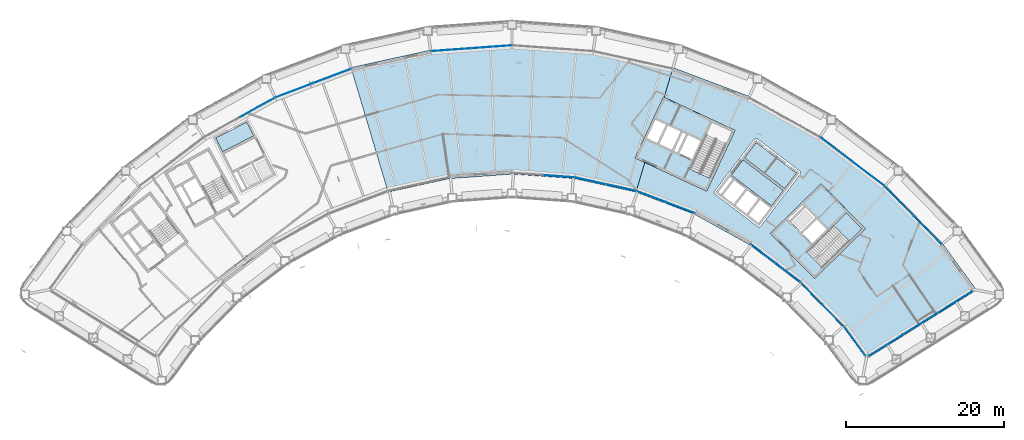
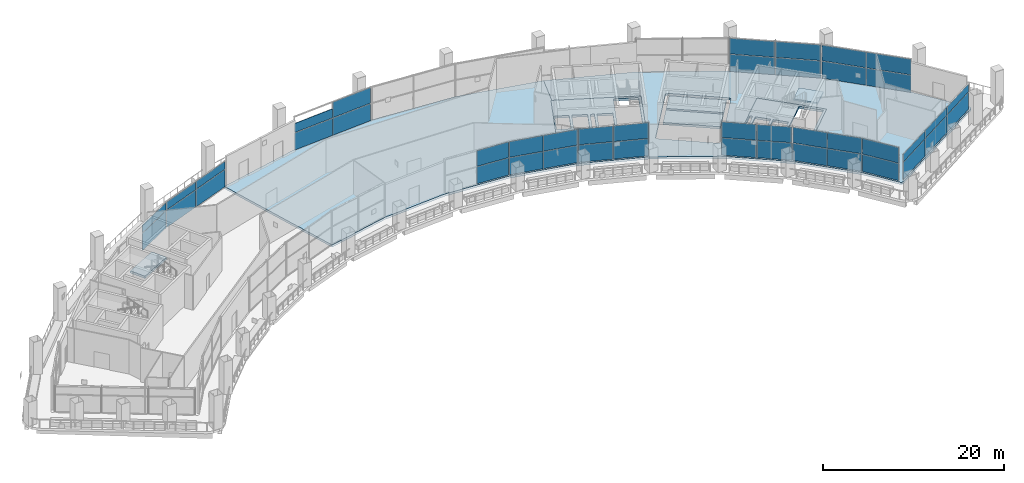
# One storey, part 14 of 28: 44 plates, 8 slabs, 13 elements without a shape of their own.
"""IFC4 building model written with IfcOpenShell, lengths in metres."""

from ifc_helpers import new_model, si_unit, direction, frame, origin, origin_2d, place, context, subcontext, project, spatial, polyline, rectangle, outline, extrude, material, layer, layer_set, type_object, element, aggregate, save


model = new_model("IFC4")

# Units and contexts
model_context = context("Model", 3, precision=1e-05, world=origin(), true_north=direction((0.0, 1.0)))
body_context = subcontext(model_context, "Body", "Model", "MODEL_VIEW")
ifc_project = project(units=[si_unit("LENGTHUNIT", "METRE"), si_unit("AREAUNIT", "SQUARE_METRE"), si_unit("VOLUMEUNIT", "CUBIC_METRE"), si_unit("PLANEANGLEUNIT", "RADIAN"), si_unit("MASSUNIT", "GRAM", prefix="KILO")], contexts=[model_context])

# Site, building, storey
site_placement = place(None, origin())
site = spatial("IfcSite", under=ifc_project, at=site_placement, CompositionType="ELEMENT")
building_placement = place(site_placement, origin())
building = spatial("IfcBuilding", under=site, at=building_placement, Name="Tuul Gate Civic Tower", CompositionType="ELEMENT")
storey_placement = place(building_placement, frame((0.0, 0.0, 128.699951171875)))
storey = spatial("IfcBuildingStorey", under=building, at=storey_placement, Name="Sky garden level 1", CompositionType="ELEMENT", Elevation=128.699951171875)

# Curtain wall, plates
ifc_material_1 = material(Name="Aluminium", Category="aluminium")
ifc_layer_1 = layer(ifc_material_1, 0.199951171875)
ifc_layer_set_1 = layer_set([ifc_layer_1], Name="Aluminium")
curtain_wall_type_1 = type_object("IfcCurtainWallType", Name="Curtain wall CW3", PredefinedType="NOTDEFINED", material=ifc_layer_set_1)
curtain_wall_1_placement = place(storey_placement, origin())
curtain_wall_1 = element("IfcCurtainWall", 1, at=curtain_wall_1_placement, inside=storey, type_object=curtain_wall_type_1, Name="Curtain wall CW3", PredefinedType="NOTDEFINED")
ifc_material_2 = material(Name="Insulated glass", Category="glass")
ifc_layer_2 = layer(ifc_material_2, 0.031982421875)
ifc_layer_set_2 = layer_set([ifc_layer_2], Name="Insulated glass")
plate_type_1 = type_object("IfcPlateType", Name="CW3 panel", PredefinedType="CURTAIN_PANEL", material=ifc_layer_set_2)
plate_1_placement = place(storey_placement, frame((62.398681640625, -12.265380859375, 0.06005859375), z_axis=(0.0, 0.0, 1.0), x_axis=(-0.700033556719, 0.714109949145, 0.0)))
plate_1 = element("IfcPlate", 2, at=plate_1_placement, type_object=plate_type_1, Name="Panel", PredefinedType="CURTAIN_PANEL", context=body_context, shape_type="SweptSolid", body=[
    extrude(rectangle(XDim=5.060546875, YDim=0.031982421875, at=origin_2d()), origin(), (0.0, 0.0, 1.0), 2.31005859375),
])
plate_2_placement = place(storey_placement, frame((62.398681640625, -12.265380859375, 2.43017578125), z_axis=(0.0, 0.0, 1.0), x_axis=(-0.700033556719, 0.714109949145, 0.0)))
plate_2 = element("IfcPlate", 3, at=plate_2_placement, type_object=plate_type_1, Name="Panel", PredefinedType="CURTAIN_PANEL", context=body_context, shape_type="SweptSolid", body=[
    extrude(rectangle(XDim=5.060546875, YDim=0.031982421875, at=origin_2d()), origin(), (0.0, 0.0, 1.0), 2.110107421875),
])
plate_3_placement = place(storey_placement, frame((58.814208984375, -8.608642578125, 0.06005859375), z_axis=(0.0, 0.0, 1.0), x_axis=(-0.700033556719, 0.714109949145, 0.0)))
plate_3 = element("IfcPlate", 4, at=plate_3_placement, type_object=plate_type_1, Name="Panel", PredefinedType="CURTAIN_PANEL", context=body_context, shape_type="SweptSolid", body=[
    extrude(rectangle(XDim=5.060546875, YDim=0.031982421875, at=origin_2d()), origin(), (0.0, 0.0, 1.0), 2.31005859375),
])
plate_4_placement = place(storey_placement, frame((58.814208984375, -8.608642578125, 2.43017578125), z_axis=(0.0, 0.0, 1.0), x_axis=(-0.700033556719, 0.714109949145, 0.0)))
plate_4 = element("IfcPlate", 5, at=plate_4_placement, type_object=plate_type_1, Name="Panel", PredefinedType="CURTAIN_PANEL", context=body_context, shape_type="SweptSolid", body=[
    extrude(rectangle(XDim=5.060546875, YDim=0.031982421875, at=origin_2d()), origin(), (0.0, 0.0, 1.0), 2.110107421875),
])
aggregate(curtain_wall_1, [plate_1, plate_2, plate_3, plate_4])

curtain_wall_2_placement = place(storey_placement, origin())
curtain_wall_2 = element("IfcCurtainWall", 6, at=curtain_wall_2_placement, inside=storey, type_object=curtain_wall_type_1, Name="Curtain wall CW3", PredefinedType="NOTDEFINED")
plate_5_placement = place(storey_placement, frame((54.9404296875, -5.18994140625, 0.06005859375), z_axis=(0.0, 0.0, 1.0), x_axis=(-0.79560997621, 0.605809182627, 0.0)))
plate_5 = element("IfcPlate", 7, at=plate_5_placement, type_object=plate_type_1, Name="Panel", PredefinedType="CURTAIN_PANEL", context=body_context, shape_type="SweptSolid", body=[
    extrude(rectangle(XDim=5.06005859375, YDim=0.031982421875, at=origin_2d()), origin(), (0.0, 0.0, 1.0), 2.31005859375),
])
plate_6_placement = place(storey_placement, frame((54.9404296875, -5.18994140625, 2.43017578125), z_axis=(0.0, 0.0, 1.0), x_axis=(-0.79560997621, 0.605809182627, 0.0)))
plate_6 = element("IfcPlate", 8, at=plate_6_placement, type_object=plate_type_1, Name="Panel", PredefinedType="CURTAIN_PANEL", context=body_context, shape_type="SweptSolid", body=[
    extrude(rectangle(XDim=5.06005859375, YDim=0.031982421875, at=origin_2d()), origin(), (0.0, 0.0, 1.0), 2.110107421875),
])
plate_7_placement = place(storey_placement, frame((50.86669921875, -2.088134765625, 0.06005859375), z_axis=(0.0, 0.0, 1.0), x_axis=(-0.79560997621, 0.605809182627, 0.0)))
plate_7 = element("IfcPlate", 9, at=plate_7_placement, type_object=plate_type_1, Name="Panel", PredefinedType="CURTAIN_PANEL", context=body_context, shape_type="SweptSolid", body=[
    extrude(rectangle(XDim=5.06005859375, YDim=0.031982421875, at=origin_2d()), origin(), (0.0, 0.0, 1.0), 2.31005859375),
])
plate_8_placement = place(storey_placement, frame((50.86669921875, -2.088134765625, 2.43017578125), z_axis=(0.0, 0.0, 1.0), x_axis=(-0.79560997621, 0.605809182627, 0.0)))
plate_8 = element("IfcPlate", 10, at=plate_8_placement, type_object=plate_type_1, Name="Panel", PredefinedType="CURTAIN_PANEL", context=body_context, shape_type="SweptSolid", body=[
    extrude(rectangle(XDim=5.06005859375, YDim=0.031982421875, at=origin_2d()), origin(), (0.0, 0.0, 1.0), 2.110107421875),
])
aggregate(curtain_wall_2, [plate_5, plate_6, plate_7, plate_8])

curtain_wall_3_placement = place(storey_placement, origin())
curtain_wall_3 = element("IfcCurtainWall", 11, at=curtain_wall_3_placement, inside=storey, type_object=curtain_wall_type_1, Name="Curtain wall CW3", PredefinedType="NOTDEFINED")
plate_9_placement = place(storey_placement, frame((7.24560546875, 10.892578125, 0.06005859375), z_axis=(0.0, 0.0, 1.0), x_axis=(-0.997381245118, -0.072323245822, 0.0)))
plate_9 = element("IfcPlate", 12, at=plate_9_placement, type_object=plate_type_1, Name="Panel", PredefinedType="CURTAIN_PANEL", context=body_context, shape_type="SweptSolid", body=[
    extrude(rectangle(XDim=5.060546875, YDim=0.031982421875, at=origin_2d()), origin(), (0.0, 0.0, 1.0), 2.31005859375),
])
plate_10_placement = place(storey_placement, frame((7.24560546875, 10.892578125, 2.43017578125), z_axis=(0.0, 0.0, 1.0), x_axis=(-0.997381245118, -0.072323245822, 0.0)))
plate_10 = element("IfcPlate", 13, at=plate_10_placement, type_object=plate_type_1, Name="Panel", PredefinedType="CURTAIN_PANEL", context=body_context, shape_type="SweptSolid", body=[
    extrude(rectangle(XDim=5.060546875, YDim=0.031982421875, at=origin_2d()), origin(), (0.0, 0.0, 1.0), 2.110107421875),
])
plate_11_placement = place(storey_placement, frame((2.138427734375, 10.522216796875, 0.06005859375), z_axis=(0.0, 0.0, 1.0), x_axis=(-0.997381245118, -0.072323245822, 0.0)))
plate_11 = element("IfcPlate", 14, at=plate_11_placement, type_object=plate_type_1, Name="Panel", PredefinedType="CURTAIN_PANEL", context=body_context, shape_type="SweptSolid", body=[
    extrude(rectangle(XDim=5.060546875, YDim=0.031982421875, at=origin_2d()), origin(), (0.0, 0.0, 1.0), 2.31005859375),
])
plate_12_placement = place(storey_placement, frame((2.138427734375, 10.522216796875, 2.43017578125), z_axis=(0.0, 0.0, 1.0), x_axis=(-0.997381245118, -0.072323245822, 0.0)))
plate_12 = element("IfcPlate", 15, at=plate_12_placement, type_object=plate_type_1, Name="Panel", PredefinedType="CURTAIN_PANEL", context=body_context, shape_type="SweptSolid", body=[
    extrude(rectangle(XDim=5.060546875, YDim=0.031982421875, at=origin_2d()), origin(), (0.0, 0.0, 1.0), 1.21728515625),
])
aggregate(curtain_wall_3, [plate_9, plate_10, plate_11, plate_12])

curtain_wall_4_placement = place(storey_placement, origin())
curtain_wall_4 = element("IfcCurtainWall", 16, at=curtain_wall_4_placement, inside=storey, type_object=curtain_wall_type_1, Name="Curtain wall CW3", PredefinedType="NOTDEFINED")
plate_13_placement = place(storey_placement, frame((15.774169921875, -5.4931640625, 0.06005859375), z_axis=(0.0, 0.0, 1.0), x_axis=(0.997392657117, -0.072165694963, 0.0)))
plate_13 = element("IfcPlate", 17, at=plate_13_placement, type_object=plate_type_1, Name="Panel", PredefinedType="CURTAIN_PANEL", context=body_context, shape_type="SweptSolid", body=[
    extrude(rectangle(XDim=3.893798828125, YDim=0.031982421875, at=origin_2d()), origin(), (0.0, 0.0, 1.0), 2.31005859375),
])
plate_14_placement = place(storey_placement, frame((15.774169921875, -5.4931640625, 2.43017578125), z_axis=(0.0, 0.0, 1.0), x_axis=(0.997392657117, -0.072165694963, 0.0)))
plate_14 = element("IfcPlate", 18, at=plate_14_placement, type_object=plate_type_1, Name="Panel", PredefinedType="CURTAIN_PANEL", context=body_context, shape_type="SweptSolid", body=[
    extrude(rectangle(XDim=3.893798828125, YDim=0.031982421875, at=origin_2d()), origin(), (0.0, 0.0, 1.0), 2.110107421875),
])
aggregate(curtain_wall_4, [plate_13, plate_14])

curtain_wall_5_placement = place(storey_placement, origin())
curtain_wall_5 = element("IfcCurtainWall", 19, at=curtain_wall_5_placement, inside=storey, type_object=curtain_wall_type_1, Name="Curtain wall CW3", PredefinedType="NOTDEFINED")
plate_15_placement = place(storey_placement, frame((19.736083984375, -6.070068359375, 0.06005859375), z_axis=(0.0, 0.0, 1.0), x_axis=(0.976566455698, -0.215216071904, 0.0)))
plate_15 = element("IfcPlate", 20, at=plate_15_placement, type_object=plate_type_1, Name="Panel", PredefinedType="CURTAIN_PANEL", context=body_context, shape_type="SweptSolid", body=[
    extrude(rectangle(XDim=3.894287109375, YDim=0.031982421875, at=origin_2d()), origin(), (0.0, 0.0, 1.0), 2.31005859375),
])
plate_16_placement = place(storey_placement, frame((19.736083984375, -6.070068359375, 2.43017578125), z_axis=(0.0, 0.0, 1.0), x_axis=(0.976566455698, -0.215216071904, 0.0)))
plate_16 = element("IfcPlate", 21, at=plate_16_placement, type_object=plate_type_1, Name="Panel", PredefinedType="CURTAIN_PANEL", context=body_context, shape_type="SweptSolid", body=[
    extrude(rectangle(XDim=3.894287109375, YDim=0.031982421875, at=origin_2d()), origin(), (0.0, 0.0, 1.0), 2.110107421875),
])
plate_17_placement = place(storey_placement, frame((23.597900390625, -6.921142578125, 0.06005859375), z_axis=(0.0, 0.0, 1.0), x_axis=(0.976566455698, -0.215216071904, 0.0)))
plate_17 = element("IfcPlate", 22, at=plate_17_placement, type_object=plate_type_1, Name="Panel", PredefinedType="CURTAIN_PANEL", context=body_context, shape_type="SweptSolid", body=[
    extrude(rectangle(XDim=3.894287109375, YDim=0.031982421875, at=origin_2d()), origin(), (0.0, 0.0, 1.0), 2.31005859375),
])
plate_18_placement = place(storey_placement, frame((23.597900390625, -6.921142578125, 2.43017578125), z_axis=(0.0, 0.0, 1.0), x_axis=(0.976566455698, -0.215216071904, 0.0)))
plate_18 = element("IfcPlate", 23, at=plate_18_placement, type_object=plate_type_1, Name="Panel", PredefinedType="CURTAIN_PANEL", context=body_context, shape_type="SweptSolid", body=[
    extrude(rectangle(XDim=3.894287109375, YDim=0.031982421875, at=origin_2d()), origin(), (0.0, 0.0, 1.0), 2.110107421875),
])
aggregate(curtain_wall_5, [plate_15, plate_16, plate_17, plate_18])

curtain_wall_6_placement = place(storey_placement, origin())
curtain_wall_6 = element("IfcCurtainWall", 24, at=curtain_wall_6_placement, inside=storey, type_object=curtain_wall_type_1, Name="Curtain wall CW3", PredefinedType="NOTDEFINED")
plate_19_placement = place(storey_placement, frame((27.435302734375, -8.06298828125, 0.06005859375), z_axis=(0.0, 0.0, 1.0), x_axis=(0.935330033956, -0.353776380754, 0.0)))
plate_19 = element("IfcPlate", 25, at=plate_19_placement, type_object=plate_type_1, Name="Panel", PredefinedType="CURTAIN_PANEL", context=body_context, shape_type="SweptSolid", body=[
    extrude(rectangle(XDim=3.89404296875, YDim=0.031982421875, at=origin_2d()), origin(), (0.0, 0.0, 1.0), 2.31005859375),
])
plate_20_placement = place(storey_placement, frame((27.435302734375, -8.06298828125, 2.43017578125), z_axis=(0.0, 0.0, 1.0), x_axis=(0.935330033956, -0.353776380754, 0.0)))
plate_20 = element("IfcPlate", 26, at=plate_20_placement, type_object=plate_type_1, Name="Panel", PredefinedType="CURTAIN_PANEL", context=body_context, shape_type="SweptSolid", body=[
    extrude(rectangle(XDim=3.89404296875, YDim=0.031982421875, at=origin_2d()), origin(), (0.0, 0.0, 1.0), 2.110107421875),
])
plate_21_placement = place(storey_placement, frame((31.1337890625, -9.4619140625, 0.06005859375), z_axis=(0.0, 0.0, 1.0), x_axis=(0.935330033956, -0.353776380754, 0.0)))
plate_21 = element("IfcPlate", 27, at=plate_21_placement, type_object=plate_type_1, Name="Panel", PredefinedType="CURTAIN_PANEL", context=body_context, shape_type="SweptSolid", body=[
    extrude(rectangle(XDim=3.89404296875, YDim=0.031982421875, at=origin_2d()), origin(), (0.0, 0.0, 1.0), 2.31005859375),
])
plate_22_placement = place(storey_placement, frame((31.1337890625, -9.4619140625, 2.43017578125), z_axis=(0.0, 0.0, 1.0), x_axis=(0.935330033956, -0.353776380754, 0.0)))
plate_22 = element("IfcPlate", 28, at=plate_22_placement, type_object=plate_type_1, Name="Panel", PredefinedType="CURTAIN_PANEL", context=body_context, shape_type="SweptSolid", body=[
    extrude(rectangle(XDim=3.89404296875, YDim=0.031982421875, at=origin_2d()), origin(), (0.0, 0.0, 1.0), 2.110107421875),
])
aggregate(curtain_wall_6, [plate_19, plate_20, plate_21, plate_22])

curtain_wall_7_placement = place(storey_placement, origin())
curtain_wall_7 = element("IfcCurtainWall", 29, at=curtain_wall_7_placement, inside=storey, type_object=curtain_wall_type_1, Name="Curtain wall CW3", PredefinedType="NOTDEFINED")
plate_23_placement = place(storey_placement, frame((41.57763671875, -15.250732421875, 0.06005859375), z_axis=(0.0, 0.0, 1.0), x_axis=(0.79559591378, -0.605827650389, 0.0)))
plate_23 = element("IfcPlate", 30, at=plate_23_placement, type_object=plate_type_1, Name="Panel", PredefinedType="CURTAIN_PANEL", context=body_context, shape_type="SweptSolid", body=[
    extrude(rectangle(XDim=3.893798828125, YDim=0.031982421875, at=origin_2d()), origin(), (0.0, 0.0, 1.0), 2.31005859375),
])
plate_24_placement = place(storey_placement, frame((41.57763671875, -15.250732421875, 2.43017578125), z_axis=(0.0, 0.0, 1.0), x_axis=(0.79559591378, -0.605827650389, 0.0)))
plate_24 = element("IfcPlate", 31, at=plate_24_placement, type_object=plate_type_1, Name="Panel", PredefinedType="CURTAIN_PANEL", context=body_context, shape_type="SweptSolid", body=[
    extrude(rectangle(XDim=3.893798828125, YDim=0.031982421875, at=origin_2d()), origin(), (0.0, 0.0, 1.0), 2.110107421875),
])
plate_25_placement = place(storey_placement, frame((44.723388671875, -17.646240234375, 0.06005859375), z_axis=(0.0, 0.0, 1.0), x_axis=(0.79559591378, -0.605827650389, 0.0)))
plate_25 = element("IfcPlate", 32, at=plate_25_placement, type_object=plate_type_1, Name="Panel", PredefinedType="CURTAIN_PANEL", context=body_context, shape_type="SweptSolid", body=[
    extrude(rectangle(XDim=3.893798828125, YDim=0.031982421875, at=origin_2d()), origin(), (0.0, 0.0, 1.0), 2.31005859375),
])
plate_26_placement = place(storey_placement, frame((44.723388671875, -17.646240234375, 2.43017578125), z_axis=(0.0, 0.0, 1.0), x_axis=(0.79559591378, -0.605827650389, 0.0)))
plate_26 = element("IfcPlate", 33, at=plate_26_placement, type_object=plate_type_1, Name="Panel", PredefinedType="CURTAIN_PANEL", context=body_context, shape_type="SweptSolid", body=[
    extrude(rectangle(XDim=3.893798828125, YDim=0.031982421875, at=origin_2d()), origin(), (0.0, 0.0, 1.0), 2.110107421875),
])
aggregate(curtain_wall_7, [plate_23, plate_24, plate_25, plate_26])

curtain_wall_8_placement = place(storey_placement, origin())
curtain_wall_8 = element("IfcCurtainWall", 34, at=curtain_wall_8_placement, inside=storey, type_object=curtain_wall_type_1, Name="Curtain wall CW3", PredefinedType="NOTDEFINED")
plate_27_placement = place(storey_placement, frame((47.72509765625, -20.295166015625, 0.06005859375), z_axis=(0.0, 0.0, 1.0), x_axis=(0.700043805627, -0.714099902117, 0.0)))
plate_27 = element("IfcPlate", 35, at=plate_27_placement, type_object=plate_type_1, Name="Panel", PredefinedType="CURTAIN_PANEL", context=body_context, shape_type="SweptSolid", body=[
    extrude(rectangle(XDim=3.89404296875, YDim=0.031982421875, at=origin_2d()), origin(), (0.0, 0.0, 1.0), 2.31005859375),
])
plate_28_placement = place(storey_placement, frame((47.72509765625, -20.295166015625, 2.43017578125), z_axis=(0.0, 0.0, 1.0), x_axis=(0.700043805627, -0.714099902117, 0.0)))
plate_28 = element("IfcPlate", 36, at=plate_28_placement, type_object=plate_type_1, Name="Panel", PredefinedType="CURTAIN_PANEL", context=body_context, shape_type="SweptSolid", body=[
    extrude(rectangle(XDim=3.89404296875, YDim=0.031982421875, at=origin_2d()), origin(), (0.0, 0.0, 1.0), 2.110107421875),
])
plate_29_placement = place(storey_placement, frame((50.492919921875, -23.118896484375, 0.06005859375), z_axis=(0.0, 0.0, 1.0), x_axis=(0.700043805627, -0.714099902117, 0.0)))
plate_29 = element("IfcPlate", 37, at=plate_29_placement, type_object=plate_type_1, Name="Panel", PredefinedType="CURTAIN_PANEL", context=body_context, shape_type="SweptSolid", body=[
    extrude(rectangle(XDim=3.89404296875, YDim=0.031982421875, at=origin_2d()), origin(), (0.0, 0.0, 1.0), 2.31005859375),
])
plate_30_placement = place(storey_placement, frame((50.492919921875, -23.118896484375, 2.43017578125), z_axis=(0.0, 0.0, 1.0), x_axis=(0.700043805627, -0.714099902117, 0.0)))
plate_30 = element("IfcPlate", 38, at=plate_30_placement, type_object=plate_type_1, Name="Panel", PredefinedType="CURTAIN_PANEL", context=body_context, shape_type="SweptSolid", body=[
    extrude(rectangle(XDim=3.89404296875, YDim=0.031982421875, at=origin_2d()), origin(), (0.0, 0.0, 1.0), 2.110107421875),
])
aggregate(curtain_wall_8, [plate_27, plate_28, plate_29, plate_30])

curtain_wall_9_placement = place(storey_placement, origin())
curtain_wall_9 = element("IfcCurtainWall", 39, at=curtain_wall_9_placement, inside=storey, type_object=curtain_wall_type_1, Name="Curtain wall CW3", PredefinedType="NOTDEFINED")
plate_31_placement = place(storey_placement, frame((53.219482421875, -26.361572265625, 0.06005859375), z_axis=(0.0, 0.0, 1.0), x_axis=(0.589775986774, -0.807566892229, 0.0)))
plate_31 = element("IfcPlate", 40, at=plate_31_placement, type_object=plate_type_1, Name="Panel", PredefinedType="CURTAIN_PANEL", context=body_context, shape_type="SweptSolid", body=[
    extrude(rectangle(XDim=4.361328125, YDim=0.031982421875, at=origin_2d()), origin(), (0.0, 0.0, 1.0), 2.31005859375),
])
plate_32_placement = place(storey_placement, frame((53.219482421875, -26.361572265625, 2.43017578125), z_axis=(0.0, 0.0, 1.0), x_axis=(0.589775986774, -0.807566892229, 0.0)))
plate_32 = element("IfcPlate", 41, at=plate_32_placement, type_object=plate_type_1, Name="Panel", PredefinedType="CURTAIN_PANEL", context=body_context, shape_type="SweptSolid", body=[
    extrude(rectangle(XDim=4.361328125, YDim=0.031982421875, at=origin_2d()), origin(), (0.0, 0.0, 1.0), 2.110107421875),
])
aggregate(curtain_wall_9, [plate_31, plate_32])

ifc_material_3 = material(Name="Aluminium", Category="aluminium")
ifc_layer_3 = layer(ifc_material_3, 0.199951171875)
ifc_layer_set_3 = layer_set([ifc_layer_3], Name="Aluminium")
curtain_wall_type_2 = type_object("IfcCurtainWallType", Name="Curtain wall CW3A", PredefinedType="NOTDEFINED", material=ifc_layer_set_3)
curtain_wall_10_placement = place(storey_placement, origin())
curtain_wall_10 = element("IfcCurtainWall", 42, at=curtain_wall_10_placement, inside=storey, type_object=curtain_wall_type_2, Name="Curtain wall CW3A", PredefinedType="NOTDEFINED")
ifc_material_4 = material(Name="Insulated glass", Category="glass")
ifc_layer_4 = layer(ifc_material_4, 0.031982421875)
ifc_layer_set_4 = layer_set([ifc_layer_4], Name="Insulated glass")
plate_type_2 = type_object("IfcPlateType", Name="CW3A panel", PredefinedType="CURTAIN_PANEL", material=ifc_layer_set_4)
plate_33_placement = place(storey_placement, frame((-12.9267578125, 7.201904296875, 0.06005859375), z_axis=(0.0, 0.0, 1.0), x_axis=(-0.935372206722, -0.353664862395, 0.0)))
plate_33 = element("IfcPlate", 43, at=plate_33_placement, type_object=plate_type_2, Name="Panel", PredefinedType="CURTAIN_PANEL", context=body_context, shape_type="SweptSolid", body=[
    extrude(rectangle(XDim=5.060302734375, YDim=0.031982421875, at=origin_2d()), origin(), (0.0, 0.0, 1.0), 2.31005859375),
])
plate_34_placement = place(storey_placement, frame((-12.9267578125, 7.201904296875, 2.43017578125), z_axis=(0.0, 0.0, 1.0), x_axis=(-0.935372206722, -0.353664862395, 0.0)))
plate_34 = element("IfcPlate", 44, at=plate_34_placement, type_object=plate_type_2, Name="Panel", PredefinedType="CURTAIN_PANEL", context=body_context, shape_type="SweptSolid", body=[
    extrude(rectangle(XDim=5.060302734375, YDim=0.031982421875, at=origin_2d()), origin(), (0.0, 0.0, 1.0), 1.054931640625),
])
plate_35_placement = place(storey_placement, frame((-17.71630859375, 5.39111328125, 0.06005859375), z_axis=(0.0, 0.0, 1.0), x_axis=(-0.935372206722, -0.353664862395, 0.0)))
plate_35 = element("IfcPlate", 45, at=plate_35_placement, type_object=plate_type_2, Name="Panel", PredefinedType="CURTAIN_PANEL", context=body_context, shape_type="SweptSolid", body=[
    extrude(rectangle(XDim=5.060302734375, YDim=0.031982421875, at=origin_2d()), origin(), (0.0, 0.0, 1.0), 2.31005859375),
])
plate_36_placement = place(storey_placement, frame((-17.71630859375, 5.39111328125, 2.43017578125), z_axis=(0.0, 0.0, 1.0), x_axis=(-0.935372206722, -0.353664862395, 0.0)))
plate_36 = element("IfcPlate", 46, at=plate_36_placement, type_object=plate_type_2, Name="Panel", PredefinedType="CURTAIN_PANEL", context=body_context, shape_type="SweptSolid", body=[
    extrude(rectangle(XDim=5.060302734375, YDim=0.031982421875, at=origin_2d()), origin(), (0.0, 0.0, 1.0), 1.054931640625),
])
aggregate(curtain_wall_10, [plate_33, plate_34, plate_35, plate_36])

curtain_wall_11_placement = place(storey_placement, origin())
curtain_wall_11 = element("IfcCurtainWall", 47, at=curtain_wall_11_placement, inside=storey, type_object=curtain_wall_type_2, Name="Curtain wall CW3A", PredefinedType="NOTDEFINED")
plate_37_placement = place(storey_placement, frame((-22.404296875, 3.21923828125, 0.06005859375), z_axis=(0.0, 0.0, 1.0), x_axis=(-0.874610249079, -0.484826682646, 0.0)))
plate_37 = element("IfcPlate", 48, at=plate_37_placement, type_object=plate_type_2, Name="Panel", PredefinedType="CURTAIN_PANEL", context=body_context, shape_type="SweptSolid", body=[
    extrude(rectangle(XDim=5.060302734375, YDim=0.031982421875, at=origin_2d()), origin(), (0.0, 0.0, 1.0), 2.31005859375),
])
plate_38_placement = place(storey_placement, frame((-22.404296875, 3.21923828125, 2.43017578125), z_axis=(0.0, 0.0, 1.0), x_axis=(-0.874610249079, -0.484826682646, 0.0)))
plate_38 = element("IfcPlate", 49, at=plate_38_placement, type_object=plate_type_2, Name="Panel", PredefinedType="CURTAIN_PANEL", context=body_context, shape_type="SweptSolid", body=[
    extrude(rectangle(XDim=5.060302734375, YDim=0.031982421875, at=origin_2d()), origin(), (0.0, 0.0, 1.0), 1.054931640625),
])
aggregate(curtain_wall_11, [plate_37, plate_38])

curtain_wall_12_placement = place(storey_placement, origin())
curtain_wall_12 = element("IfcCurtainWall", 50, at=curtain_wall_12_placement, inside=storey, type_object=curtain_wall_type_2, Name="Curtain wall CW3A", PredefinedType="NOTDEFINED")
plate_39_placement = place(storey_placement, frame((57.152099609375, -26.868408203125, 0.06005859375), z_axis=(0.0, 0.0, 1.0), x_axis=(0.848023607876, 0.52995845166, 0.0)))
plate_39 = element("IfcPlate", 51, at=plate_39_placement, type_object=plate_type_2, Name="Panel", PredefinedType="CURTAIN_PANEL", context=body_context, shape_type="SweptSolid", body=[
    extrude(rectangle(XDim=5.09033203125, YDim=0.031982421875, at=origin_2d()), origin(), (0.0, 0.0, 1.0), 2.31005859375),
])
plate_40_placement = place(storey_placement, frame((57.152099609375, -26.868408203125, 2.43017578125), z_axis=(0.0, 0.0, 1.0), x_axis=(0.848023607876, 0.52995845166, 0.0)))
plate_40 = element("IfcPlate", 52, at=plate_40_placement, type_object=plate_type_2, Name="Panel", PredefinedType="CURTAIN_PANEL", context=body_context, shape_type="SweptSolid", body=[
    extrude(rectangle(XDim=5.09033203125, YDim=0.031982421875, at=origin_2d()), origin(), (0.0, 0.0, 1.0), 1.054931640625),
])
plate_41_placement = place(storey_placement, frame((61.532470703125, -24.131103515625, 0.06005859375), z_axis=(0.0, 0.0, 1.0), x_axis=(0.848023607876, 0.52995845166, 0.0)))
plate_41 = element("IfcPlate", 53, at=plate_41_placement, type_object=plate_type_2, Name="Panel", PredefinedType="CURTAIN_PANEL", context=body_context, shape_type="SweptSolid", body=[
    extrude(rectangle(XDim=5.120361328125, YDim=0.031982421875, at=origin_2d()), origin(), (0.0, 0.0, 1.0), 2.31005859375),
])
plate_42_placement = place(storey_placement, frame((61.532470703125, -24.131103515625, 2.43017578125), z_axis=(0.0, 0.0, 1.0), x_axis=(0.848023607876, 0.52995845166, 0.0)))
plate_42 = element("IfcPlate", 54, at=plate_42_placement, type_object=plate_type_2, Name="Panel", PredefinedType="CURTAIN_PANEL", context=body_context, shape_type="SweptSolid", body=[
    extrude(rectangle(XDim=5.120361328125, YDim=0.031982421875, at=origin_2d()), origin(), (0.0, 0.0, 1.0), 1.054931640625),
])
plate_43_placement = place(storey_placement, frame((65.912841796875, -21.3935546875, 0.06005859375), z_axis=(0.0, 0.0, 1.0), x_axis=(0.848023607876, 0.52995845166, 0.0)))
plate_43 = element("IfcPlate", 55, at=plate_43_placement, type_object=plate_type_2, Name="Panel", PredefinedType="CURTAIN_PANEL", context=body_context, shape_type="SweptSolid", body=[
    extrude(rectangle(XDim=5.09033203125, YDim=0.031982421875, at=origin_2d()), origin(), (0.0, 0.0, 1.0), 2.31005859375),
])
plate_44_placement = place(storey_placement, frame((65.912841796875, -21.3935546875, 2.43017578125), z_axis=(0.0, 0.0, 1.0), x_axis=(0.848023607876, 0.52995845166, 0.0)))
plate_44 = element("IfcPlate", 56, at=plate_44_placement, type_object=plate_type_2, Name="Panel", PredefinedType="CURTAIN_PANEL", context=body_context, shape_type="SweptSolid", body=[
    extrude(rectangle(XDim=5.09033203125, YDim=0.031982421875, at=origin_2d()), origin(), (0.0, 0.0, 1.0), 1.054931640625),
])
aggregate(curtain_wall_12, [plate_39, plate_40, plate_41, plate_42, plate_43, plate_44])

# Slabs
ifc_material_5 = material(Name="Concrete C40/50", Category="concrete")
ifc_layer_5 = layer(ifc_material_5, 0.300048828125)
ifc_layer_set_5 = layer_set([ifc_layer_5], Name="Concrete C40/50")
slab_type_1 = type_object("IfcSlabType", Name="Core floor slab 300", PredefinedType="FLOOR", material=ifc_layer_set_5)
slab_1_placement = place(storey_placement, frame((0.0, 0.0, -0.300048828125)))
element("IfcSlab", 57, at=slab_1_placement, inside=storey, type_object=slab_type_1, Name="FLOOR SLAB", PredefinedType="FLOOR", context=body_context, shape_type="SweptSolid", body=[
    extrude(outline(polyline([(48.117919921875, -18.43310546875), (54.545166015625, -12.1328125), (48.945068359375, -6.419921875), (42.517822265625, -12.719970703125), (48.117919921875, -18.43310546875)]), holes=[polyline([(47.808837890625, -13.974853515625), (49.6298828125, -12.18994140625), (48.40478515625, -10.940185546875), (46.583984375, -12.72509765625), (47.808837890625, -13.974853515625)]), polyline([(46.373779296875, -12.510986328125), (48.19482421875, -10.725830078125), (46.969970703125, -9.47607421875), (45.14892578125, -11.26123046875), (46.373779296875, -12.510986328125)]), polyline([(44.93896484375, -11.046875), (46.760009765625, -9.261962890625), (46.514892578125, -9.011962890625), (44.69384765625, -10.797119140625), (44.93896484375, -11.046875)]), polyline([(49.086181640625, -17.062744140625), (47.12744140625, -15.064208984375), (52.160888671875, -10.130126953125), (54.11962890625, -12.128662109375), (49.086181640625, -17.062744140625)])]), origin(), (0.0, 0.0, 1.0), 0.300048828125),
])
slab_2_placement = place(storey_placement, frame((0.0, 0.0, -0.300048828125)))
element("IfcSlab", 58, at=slab_2_placement, inside=storey, type_object=slab_type_1, Name="FLOOR SLAB", PredefinedType="FLOOR", context=body_context, shape_type="SweptSolid", body=[
    extrude(outline(polyline([(34.465087890625, -7.385986328125), (38.056884765625, 0.31787109375), (28.993896484375, 4.543701171875), (25.40185546875, -3.159912109375), (34.465087890625, -7.385986328125)]), holes=[polyline([(32.60888671875, -3.32080078125), (33.6865234375, -1.009765625), (32.1005859375, -0.27001953125), (31.02294921875, -2.581298828125), (32.60888671875, -3.32080078125)]), polyline([(30.0712890625, -2.137451171875), (31.14892578125, 0.173583984375), (29.562744140625, 0.9130859375), (28.4853515625, -1.39794921875), (30.0712890625, -2.137451171875)]), polyline([(30.751220703125, -2.454345703125), (31.82861328125, -0.143310546875), (31.4208984375, 0.046875), (30.34326171875, -2.264404296875), (30.751220703125, -2.454345703125)]), polyline([(28.21337890625, -1.27099609375), (29.291015625, 1.0400390625), (27.8408203125, 1.71630859375), (26.76318359375, -0.594970703125), (28.21337890625, -1.27099609375)]), polyline([(34.889892578125, -5.7626953125), (32.353759765625, -4.580078125), (35.120849609375, 1.354736328125), (37.6572265625, 0.17236328125), (34.889892578125, -5.7626953125)])]), origin(), (0.0, 0.0, 1.0), 0.300048828125),
])
ifc_material_6 = material(Name="Concrete C40/50", Category="concrete")
ifc_layer_6 = layer(ifc_material_6, 0.300048828125)
ifc_layer_set_6 = layer_set([ifc_layer_6], Name="Concrete C40/50")
slab_type_2 = type_object("IfcSlabType", Name="Core floor slab 300 non-bearing", PredefinedType="FLOOR", material=ifc_layer_set_6)
slab_3_placement = place(storey_placement, frame((0.0, 0.0, -0.300048828125)))
element("IfcSlab", 59, at=slab_3_placement, inside=storey, type_object=slab_type_2, Name="FLOOR SLAB", PredefinedType="FLOOR", context=body_context, shape_type="SweptSolid", body=[
    extrude(outline(polyline([(37.587890625, -5.350830078125), (39.072021484375, -3.401611328125), (44.163818359375, -7.279052734375), (42.6796875, -9.228271484375), (37.587890625, -5.350830078125)])), origin(), (0.0, 0.0, 1.0), 0.300048828125),
])
slab_4_placement = place(storey_placement, frame((0.0, 0.0, -0.300048828125)))
element("IfcSlab", 60, at=slab_4_placement, inside=storey, type_object=slab_type_2, Name="FLOOR SLAB", PredefinedType="FLOOR", context=body_context, shape_type="SweptSolid", body=[
    extrude(outline(polyline([(44.345458984375, -7.040283203125), (39.25390625, -3.162841796875), (40.73779296875, -1.213623046875), (45.82958984375, -5.091064453125), (44.345458984375, -7.040283203125)])), origin(), (0.0, 0.0, 1.0), 0.300048828125),
])
slab_5_placement = place(storey_placement, frame((0.0, 0.0, -0.300048828125)))
element("IfcSlab", 61, at=slab_5_placement, inside=storey, type_object=slab_type_2, Name="FLOOR SLAB", PredefinedType="FLOOR", context=body_context, shape_type="SweptSolid", body=[
    extrude(outline(polyline([(-27.66455078125, -0.63916015625), (-23.744140625, 1.3583984375), (-22.85888671875, -0.37890625), (-26.779296875, -2.37646484375), (-27.66455078125, -0.63916015625)])), origin(), (0.0, 0.0, 1.0), 0.300048828125),
])

# Stair, slab
ifc_material_7 = material(Name="Concrete C40/50", Category="concrete")
stair_type = type_object("IfcStairType", Name="Exit stair", PredefinedType="HALF_TURN_STAIR", material=ifc_material_7)
stair_placement = place(storey_placement, origin())
stair = element("IfcStair", 62, at=stair_placement, inside=storey, type_object=stair_type, Name="Sky garden level 1 ST-3", PredefinedType="HALF_TURN_STAIR")
ifc_material_8 = material(Name="Concrete C40/50", Category="concrete")
ifc_layer_7 = layer(ifc_material_8, 0.199951171875)
ifc_layer_set_7 = layer_set([ifc_layer_7], Name="Concrete C40/50")
slab_type_3 = type_object("IfcSlabType", Name="Exit stair landing", PredefinedType="LANDING", material=ifc_layer_set_7)
slab_6_placement = place(storey_placement, frame((0.0, 0.0, 2.300048828125)))
slab_6 = element("IfcSlab", 63, at=slab_6_placement, type_object=slab_type_3, Name="ST-3 landing 1", PredefinedType="LANDING", context=body_context, shape_type="SweptSolid", body=[
    extrude(outline(polyline([(52.51416015625, -13.704833984375), (50.552978515625, -11.7041015625), (52.160888671875, -10.1279296875), (54.1220703125, -12.128662109375), (52.51416015625, -13.704833984375)])), origin(), (0.0, 0.0, 1.0), 0.199951171875),
])
aggregate(stair, [slab_6])

# Slabs
ifc_material_9 = material(Name="Concrete C35/45", Category="concrete")
ifc_layer_8 = layer(ifc_material_9, 0.300048828125)
ifc_layer_set_8 = layer_set([ifc_layer_8], Name="Concrete C35/45")
slab_type_4 = type_object("IfcSlabType", Name="STR-FLOOR-SLAB-300", PredefinedType="FLOOR", material=ifc_layer_set_8)
slab_7_placement = place(storey_placement, frame((0.0, 0.0, -0.300048828125)))
element("IfcSlab", 64, at=slab_7_placement, inside=storey, type_object=slab_type_4, Name="Sky garden level 1/slab/M", PredefinedType="FLOOR", context=body_context, shape_type="SweptSolid", body=[
    extrude(outline(polyline([(25.514892578125, -7.4970703125), (26.635009765625, -3.735107421875), (25.402099609375, -3.159912109375), (28.993896484375, 4.5439453125), (29.0859375, 4.5009765625), (30.205078125, 8.262939453125), (20.1240234375, 10.48388671875), (9.8291015625, 11.22998046875), (-0.467041015625, 10.48388671875), (-10.547119140625, 8.262939453125), (-5.85791015625, -7.4970703125), (1.903076171875, -5.787109375), (9.8291015625, -5.212890625), (17.7548828125, -5.787109375), (25.514892578125, -7.4970703125)])), origin(), (0.0, 0.0, 1.0), 0.300048828125),
])
slab_8_placement = place(storey_placement, frame((0.0, 0.0, -0.300048828125)))
element("IfcSlab", 65, at=slab_8_placement, inside=storey, type_object=slab_type_4, Name="Sky garden level 1/slab/E", PredefinedType="FLOOR", context=body_context, shape_type="SweptSolid", body=[
    extrude(outline(polyline([(54.800048828125, -28.489990234375), (54.904052734375, -28.449951171875), (68.337890625, -20.054931640625), (68.426025390625, -19.969970703125), (68.47412109375, -19.85693359375), (68.471923828125, -19.735107421875), (68.4208984375, -19.6240234375), (64.326904296875, -14.01806640625), (57.10107421875, -6.64599609375), (48.887939453125, -0.39306640625), (39.860107421875, 4.611083984375), (30.205078125, 8.262939453125), (29.0859375, 4.5009765625), (38.056884765625, 0.318115234375), (34.465087890625, -7.385986328125), (26.635009765625, -3.735107421875), (25.514892578125, -7.4970703125), (32.947998046875, -10.30810546875), (39.89794921875, -14.160888671875), (46.220947265625, -18.97509765625), (51.783935546875, -24.64990234375), (54.501953125, -28.3720703125), (54.583984375, -28.448974609375), (54.68798828125, -28.489990234375), (54.800048828125, -28.489990234375)]), holes=[polyline([(42.51806640625, -12.719970703125), (48.945068359375, -6.419921875), (54.544921875, -12.133056640625), (48.117919921875, -18.43310546875), (42.51806640625, -12.719970703125)]), polyline([(41.010009765625, -11.916015625), (35.44091796875, -7.675048828125), (35.4130859375, -7.465087890625), (40.56201171875, -0.701904296875), (40.77197265625, -0.674072265625), (46.341064453125, -4.9150390625), (46.368896484375, -5.125), (41.219970703125, -11.887939453125), (41.010009765625, -11.916015625)])]), origin(), (0.0, 0.0, 1.0), 0.300048828125),
])

save(model, "model.ifc")
